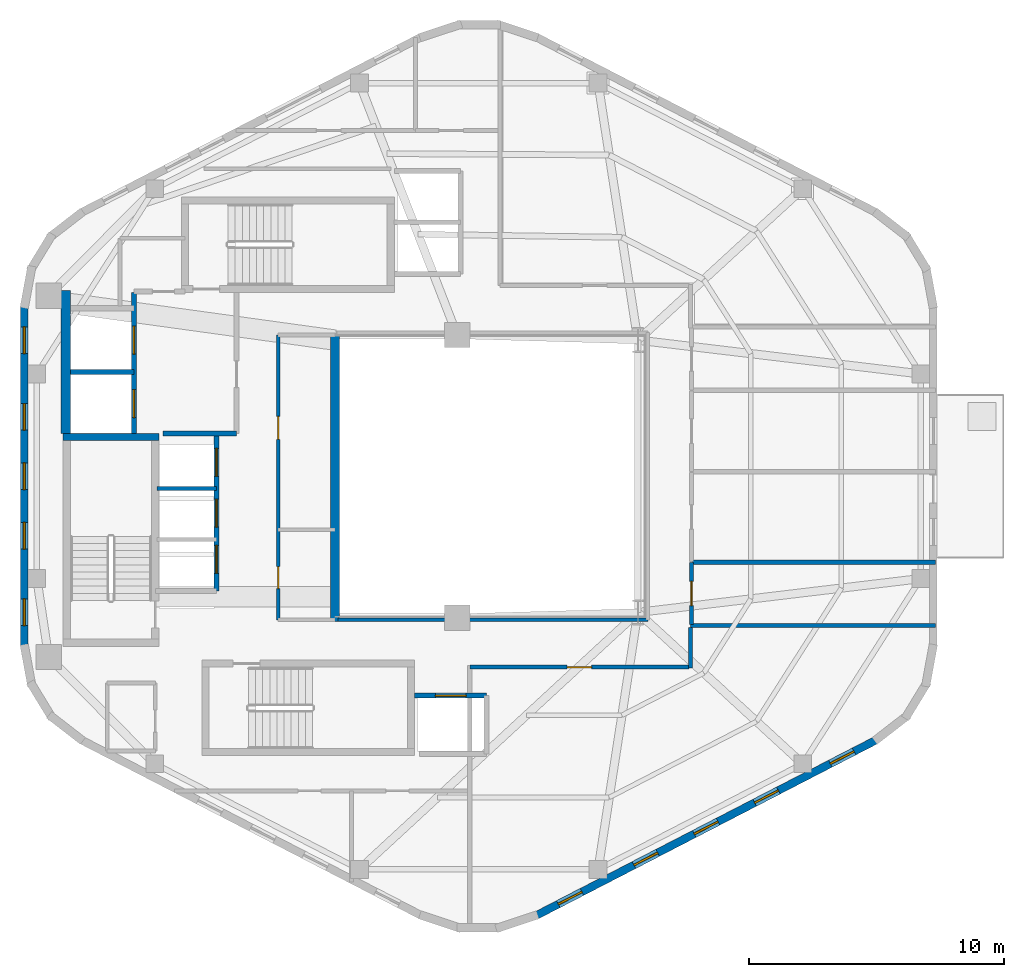
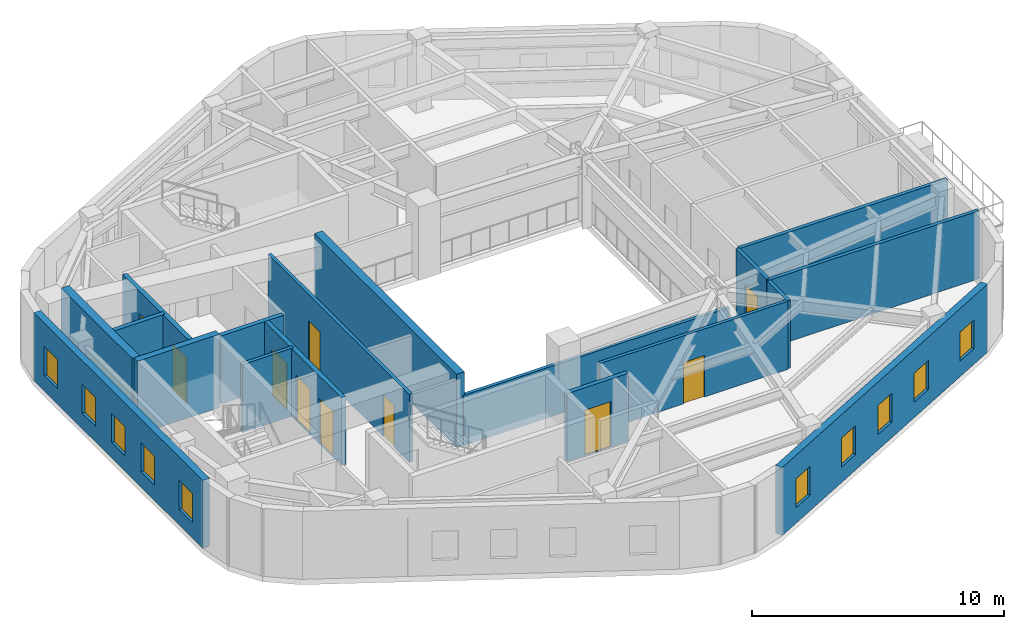
# One storey, part 3 of 7: 18 walls, 10 doors, 10 windows, 20 openings.
"""IFC4 building model written with IfcOpenShell, lengths in metres."""

import ifcopenshell
import ifcopenshell.guid

model = None  # the IFC model being written
_history = None  # IfcOwnerHistory: only IFC2X3 demands one
_inside = {}  # id of a spatial element -> (the spatial element, [elements in it])
_under = {}  # id of a project, library or spatial element -> (it, [spatial elements below it])
_declared = {}  # id of a project -> (the project, [libraries it declares])
_typed = {}  # id of a type object -> (the type object, [elements of that type])
_made_of = {}  # id of a material, layer set ... -> (it, [elements and type objects made of it])


def new_model(schema):
    """Start an empty IFC model of exactly this schema.

    Asked for "IFC4X3", IfcOpenShell would pick the latest addendum, in which some entities
    have other attributes; the version numbers below select the first issue.
    IFC2X3 requires an IfcOwnerHistory on every rooted entity: one is made here for all.
    """
    global model, _history
    if schema == "IFC4X3":
        model = ifcopenshell.file(schema_version=(4, 3, 0, 0))
    else:
        model = ifcopenshell.file(schema=schema)
    _inside.clear()
    _under.clear()
    _declared.clear()
    _typed.clear()
    _made_of.clear()
    _history = None
    if model.schema == "IFC2X3":
        org = make("IfcOrganization", Name="unknown")
        user = make(
            "IfcPersonAndOrganization",
            ThePerson=make("IfcPerson", FamilyName="unknown"),
            TheOrganization=org,
        )
        app = make(
            "IfcApplication",
            ApplicationDeveloper=org,
            Version="unknown",
            ApplicationFullName="unknown",
            ApplicationIdentifier="unknown",
        )
        _history = make(
            "IfcOwnerHistory",
            OwningUser=user,
            OwningApplication=app,
            ChangeAction="ADDED",
            CreationDate=0,
        )
    return model


def make(cls, **values):
    """One entity of the class cls with the attributes given. An attribute that is None is left unset."""
    return model.create_entity(
        cls, **{name: value for name, value in values.items() if value is not None}
    )


def rooted(cls, **values):
    """An entity with a GlobalId (a new one), such as an element, a storey or a relation."""
    return make(cls, GlobalId=ifcopenshell.guid.new(), OwnerHistory=_history, **values)


def si_unit(unit_type, name, prefix=None):
    """IfcSIUnit, for example si_unit("LENGTHUNIT", "METRE", prefix="MILLI")."""
    return make("IfcSIUnit", UnitType=unit_type, Prefix=prefix, Name=name)


def assignment(units):
    """IfcUnitAssignment: the units of a project."""
    return None if units is None else make("IfcUnitAssignment", Units=units)


def point(xyz):
    """IfcCartesianPoint."""
    return None if xyz is None else make("IfcCartesianPoint", Coordinates=xyz)


def direction(xyz):
    """IfcDirection."""
    return None if xyz is None else make("IfcDirection", DirectionRatios=xyz)


def frame(location, z_axis=None, x_axis=None):
    """IfcAxis2Placement3D, a coordinate frame: its origin and axes. An axis left out is left unset."""
    return make(
        "IfcAxis2Placement3D",
        Location=point(location),
        Axis=direction(z_axis),
        RefDirection=direction(x_axis),
    )


def frame_2d(location, x_axis=None):
    """IfcAxis2Placement2D, a coordinate frame in the plane: its origin and x axis."""
    return make(
        "IfcAxis2Placement2D", Location=point(location), RefDirection=direction(x_axis)
    )


def origin():
    """The frame at (0, 0, 0) with its axes left unset."""
    return frame((0.0, 0.0, 0.0))


def place(relative_to, where):
    """IfcLocalPlacement: puts the frame where relative to a parent placement (None: the world)."""
    return make(
        "IfcLocalPlacement", PlacementRelTo=relative_to, RelativePlacement=where
    )


def context(
    kind, dimensions, precision=None, world=None, true_north=None, identifier=None
):
    """IfcGeometricRepresentationContext, for example the 3D "Model" context."""
    return make(
        "IfcGeometricRepresentationContext",
        ContextIdentifier=identifier,
        ContextType=kind,
        CoordinateSpaceDimension=dimensions,
        Precision=precision,
        WorldCoordinateSystem=world,
        TrueNorth=true_north,
    )


def subcontext(parent, identifier, kind, view, scale=None):
    """IfcGeometricRepresentationSubContext, for example "Body" below "Model"."""
    return make(
        "IfcGeometricRepresentationSubContext",
        ContextIdentifier=identifier,
        ContextType=kind,
        ParentContext=parent,
        TargetScale=scale,
        TargetView=view,
    )


def project(units=None, contexts=None):
    """IfcProject with its units and contexts."""
    return rooted(
        "IfcProject",
        Name="project",
        RepresentationContexts=contexts,
        UnitsInContext=assignment(units),
    )


def spatial(cls, under=None, at=None, **own):
    """A site, building, storey or space (cls), placed at a placement, below another one or the project."""
    s = rooted(cls, ObjectPlacement=at, **own)
    if under is not None:
        _under.setdefault(under.id(), (under, []))[1].append(s)
    return s


def profile(cls, at=None, kind="AREA", **sizes):
    """A parametric profile (cls). Its sizes go by their IFC names, for example OverallWidth=200.0."""
    return make(cls, ProfileType=kind, Position=at, **sizes)


def rectangle(**sizes):
    """IfcRectangleProfileDef."""
    return profile("IfcRectangleProfileDef", **sizes)


def extrude(swept, where, along, depth):
    """IfcExtrudedAreaSolid: the profile swept, set in the frame where, extruded along a direction by depth."""
    return make(
        "IfcExtrudedAreaSolid",
        SweptArea=swept,
        Position=where,
        ExtrudedDirection=direction(along),
        Depth=depth,
    )


def shape(context_of_items, identifier, shape_type, items):
    """IfcShapeRepresentation: the items that make up one representation, for example the "Body"."""
    return make(
        "IfcShapeRepresentation",
        ContextOfItems=context_of_items,
        RepresentationIdentifier=identifier,
        RepresentationType=shape_type,
        Items=items,
    )


def material(Name=None, Category=None):
    """IfcMaterial."""
    return make("IfcMaterial", Name=Name, Category=Category)


def layer(
    of_material, thickness, ventilated=None, Name=None, Category=None, Priority=None
):
    """IfcMaterialLayer: one layer of a wall or slab, of a material (None: an air gap)."""
    return make(
        "IfcMaterialLayer",
        Material=of_material,
        LayerThickness=thickness,
        IsVentilated=ventilated,
        Name=Name,
        Category=Category,
        Priority=Priority,
    )


def layer_set(layers, Name=None):
    """IfcMaterialLayerSet."""
    return make("IfcMaterialLayerSet", MaterialLayers=layers, LayerSetName=Name)


def made_of(thing, what):
    """Note that an element or type object is made of a material, layer set ...; save() writes the relation."""
    if what is not None:
        _made_of.setdefault(what.id(), (what, []))[1].append(thing)
    return thing


def type_object(cls, material=None, **own):
    """A type object (cls), such as IfcWallType, which elements share."""
    return made_of(rooted(cls, **own), material)


def element(
    cls,
    number,
    at=None,
    inside=None,
    cuts=None,
    type_object=None,
    material=None,
    context=None,
    identifier="Body",
    shape_type=None,
    held_by="IfcProductDefinitionShape",
    body=None,
    shapes=None,
    **own,
):
    """One element of the class cls, such as IfcWall. Its Tag is "e" and its number.

    at: its placement. inside: the storey or other place that contains it. cuts: it is an
    opening in that element (IfcRelVoidsElement). A single representation is given by context,
    identifier, shape_type and body (its items); several are given by shapes. held_by: the class
    of the entity that holds the representations. save() writes the other relations.
    """
    e = rooted(cls, Tag="e%d" % number, ObjectPlacement=at, **own)
    if body is not None:
        shapes = [shape(context, identifier, shape_type, body)]
    if shapes is not None:
        e.Representation = make(held_by, Representations=shapes)
    if inside is not None:
        _inside.setdefault(inside.id(), (inside, []))[1].append(e)
    if cuts is not None:
        rooted(
            "IfcRelVoidsElement", RelatingBuildingElement=cuts, RelatedOpeningElement=e
        )
    if type_object is not None:
        _typed.setdefault(type_object.id(), (type_object, []))[1].append(e)
    return made_of(e, material)


def fill(opening, filler):
    """IfcRelFillsElement: the door or window that sits in an opening."""
    return rooted(
        "IfcRelFillsElement",
        RelatingOpeningElement=opening,
        RelatedBuildingElement=filler,
    )


def aggregate(whole, parts):
    """IfcRelAggregates: a whole, such as a stair, and the parts it consists of."""
    return rooted("IfcRelAggregates", RelatingObject=whole, RelatedObjects=parts)


def save(model, path):
    """Write the relations noted so far, then the file.

    IfcRelAggregates (storeys below a building ...), IfcRelContainedInSpatialStructure (elements
    in a storey), IfcRelDefinesByType, IfcRelAssociatesMaterial and IfcRelDeclares: one each for
    every whole, place, type object, material and project.
    """
    for whole, parts in _under.values():
        aggregate(whole, parts)
    for where, things in _inside.values():
        rooted(
            "IfcRelContainedInSpatialStructure",
            RelatedElements=things,
            RelatingStructure=where,
        )
    for kind, things in _typed.values():
        rooted("IfcRelDefinesByType", RelatedObjects=things, RelatingType=kind)
    for what, things in _made_of.values():
        rooted("IfcRelAssociatesMaterial", RelatedObjects=things, RelatingMaterial=what)
    for by, libraries in _declared.values():
        rooted("IfcRelDeclares", RelatingContext=by, RelatedDefinitions=libraries)
    model.write(path)


model = new_model("IFC4")

# Units and contexts
model_context = context("Model", 3, precision=1e-05, world=origin(), true_north=direction((0.0, 1.0)))
body_context = subcontext(model_context, "Body", "Model", "MODEL_VIEW")
ifc_project = project(units=[si_unit("LENGTHUNIT", "METRE"), si_unit("AREAUNIT", "SQUARE_METRE"), si_unit("VOLUMEUNIT", "CUBIC_METRE"), si_unit("PLANEANGLEUNIT", "RADIAN"), si_unit("MASSUNIT", "GRAM", prefix="KILO"), si_unit("THERMODYNAMICTEMPERATUREUNIT", "KELVIN"), si_unit("POWERUNIT", "WATT")], contexts=[model_context])

# Site, building, storey
site_placement = place(None, origin())
site = spatial("IfcSite", under=ifc_project, at=site_placement, CompositionType="ELEMENT")
building_placement = place(site_placement, origin())
building = spatial("IfcBuilding", under=site, at=building_placement, Name="Skarre Station Tower", CompositionType="ELEMENT")
storey_placement = place(building_placement, frame((0.0, 0.0, 256.10009765625)))
storey = spatial("IfcBuildingStorey", under=building, at=storey_placement, Name="L70", CompositionType="ELEMENT", Elevation=256.10009765625)

# Wall, openings, doors
ifc_material_1 = material(Name="Acoustic Steel-Stud Gypsum Partition", Category="steel")
ifc_layer_1 = layer(ifc_material_1, 0.14990234375, Name="Acoustic Steel-Stud Gypsum Partition")
ifc_layer_set_1 = layer_set([ifc_layer_1], Name="Acoustic Steel-Stud Gypsum Partition")
wall_type_1 = type_object("IfcWallType", Name="Fire-Rated Corridor Acoustic Partition 150", PredefinedType="PARTITIONING", material=ifc_layer_set_1)
wall_1_placement = place(storey_placement, frame((25.320068359375, 29.550048828125, 0.0), z_axis=(0.0, 0.0, 1.0), x_axis=(0.0, -1.0, 0.0)))
wall_1 = element("IfcWall", 1, at=wall_1_placement, inside=storey, type_object=wall_type_1, Name="L70 Interior Partition WL-PT-L70-RC2-W", PredefinedType="PARTITIONING", context=body_context, shape_type="SweptSolid", body=[
    extrude(rectangle(XDim=11.18994140625, YDim=0.14990234375, at=frame_2d((5.594970703125, 0.0))), origin(), (0.0, 0.0, 1.0), 3.289794921875),
])
opening_1_placement = place(wall_1_placement, frame((3.199951171875, 0.0, 0.0)))
opening_1 = element("IfcOpeningElement", 2, at=opening_1_placement, cuts=wall_1, Name="Opening DR-SVC90", PredefinedType="OPENING", context=body_context, shape_type="SweptSolid", body=[
    extrude(rectangle(XDim=0.89990234375, YDim=2.0, at=frame_2d((0.449951171875, 1.0))), frame((0.0, 0.0849609375, 0.0), z_axis=(0.0, -1.0, 0.0), x_axis=(1.0, 0.0, 0.0)), (0.0, 0.0, 1.0), 0.169921875),
])
opening_2_placement = place(wall_1_placement, frame((9.10009765625, 0.0, 0.0)))
opening_2 = element("IfcOpeningElement", 3, at=opening_2_placement, cuts=wall_1, Name="Opening DR-SVC86", PredefinedType="OPENING", context=body_context, shape_type="SweptSolid", body=[
    extrude(rectangle(XDim=0.860107421875, YDim=2.0, at=frame_2d((0.43017578125, 1.0))), frame((0.0, 0.0849609375, 0.0), z_axis=(0.0, -1.0, 0.0), x_axis=(1.0, 0.0, 0.0)), (0.0, 0.0, 1.0), 0.169921875),
])
ifc_material_2 = material(Name="Powder-Coated Hollow-Metal Acoustic Fire Leaf", Category="steel")
door_type_1 = type_object("IfcDoorType", Name="Compact Riser Fire Door FD60 860x2100", OperationType="SINGLE_SWING_LEFT", PredefinedType="DOOR", material=ifc_material_2)
door_1_placement = place(opening_2_placement, origin())
door_1 = element("IfcDoor", 4, at=door_1_placement, inside=storey, type_object=door_type_1, Name="L70 Espresso Room Door", OperationType="SINGLE_SWING_LEFT", OverallHeight=2.0, OverallWidth=0.860107421875, PredefinedType="DOOR", context=body_context, shape_type="SweptSolid", body=[
    extrude(rectangle(XDim=0.860107421875, YDim=2.0, at=frame_2d((0.43017578125, 1.0))), frame((0.0, 0.02490234375, 0.0), z_axis=(0.0, -1.0, 0.0), x_axis=(1.0, 0.0, 0.0)), (0.0, 0.0, 1.0), 0.050048828125),
])
fill(opening_2, door_1)
door_type_2 = type_object("IfcDoorType", Name="Service & Riser Fire Door FD60 900x2100", OperationType="SINGLE_SWING_LEFT", PredefinedType="DOOR", material=ifc_material_2)
door_2_placement = place(opening_1_placement, origin())
door_2 = element("IfcDoor", 5, at=door_2_placement, inside=storey, type_object=door_type_2, Name="L70 Reading Alcove Door", OperationType="SINGLE_SWING_LEFT", OverallHeight=2.0, OverallWidth=0.89990234375, PredefinedType="DOOR", context=body_context, shape_type="SweptSolid", body=[
    extrude(rectangle(XDim=0.89990234375, YDim=2.0, at=frame_2d((0.449951171875, 1.0))), frame((0.0, 0.02490234375, 0.0), z_axis=(0.0, -1.0, 0.0), x_axis=(1.0, 0.0, 0.0)), (0.0, 0.0, 1.0), 0.050048828125),
])
fill(opening_1, door_2)

# Wall
wall_2_placement = place(storey_placement, frame((27.675048828125, 18.360107421875, 0.0), z_axis=(0.0, 0.0, 1.0), x_axis=(1.0, 0.0, 0.0)))
element("IfcWall", 6, at=wall_2_placement, inside=storey, type_object=wall_type_1, Name="L70 Interior Partition WL-PT-L70-ATRW-S", PredefinedType="PARTITIONING", context=body_context, shape_type="SweptSolid", body=[
    extrude(rectangle(XDim=12.1650390625, YDim=0.14990234375, at=frame_2d((6.08251953125, 0.0))), origin(), (0.0, 0.0, 1.0), 2.430908203125),
])

# Wall, opening, door
wall_3_placement = place(storey_placement, frame((41.56005859375, 18.179931640625, 0.0), z_axis=(0.0, 0.0, 1.0), x_axis=(0.0, 1.0, 0.0)))
wall_3 = element("IfcWall", 7, at=wall_3_placement, inside=storey, type_object=wall_type_1, Name="L70 Interior Partition WL-PT-L70-EW1-CW", PredefinedType="PARTITIONING", context=body_context, shape_type="SweptSolid", body=[
    extrude(rectangle(XDim=2.426025390625, YDim=0.14990234375, at=frame_2d((1.212890625, 0.0))), origin(), (0.0, 0.0, 1.0), 3.289794921875),
])
opening_3_placement = place(wall_3_placement, frame((0.73291015625, 0.0, 0.0)))
opening_3 = element("IfcOpeningElement", 8, at=opening_3_placement, cuts=wall_3, Name="Opening DR-FD60", PredefinedType="OPENING", context=body_context, shape_type="SweptSolid", body=[
    extrude(rectangle(XDim=0.9599609375, YDim=2.0, at=frame_2d((0.47998046875, 1.0))), frame((0.0, 0.0849609375, 0.0), z_axis=(0.0, -1.0, 0.0), x_axis=(1.0, 0.0, 0.0)), (0.0, 0.0, 1.0), 0.169921875),
])
ifc_material_3 = material(Name="Nordic White-Oak Veneer Solid-Core Fire Leaf", Category="wood")
door_type_3 = type_object("IfcDoorType", Name="Corridor Suite Entry Fire Door FD60 960x2150", OperationType="SINGLE_SWING_LEFT", PredefinedType="DOOR", material=ifc_material_3)
door_3_placement = place(opening_3_placement, origin())
door_3 = element("IfcDoor", 9, at=door_3_placement, inside=storey, type_object=door_type_3, Name="L70 EW1 Entry Door", OperationType="SINGLE_SWING_LEFT", OverallHeight=2.0, OverallWidth=0.9599609375, PredefinedType="DOOR", context=body_context, shape_type="SweptSolid", body=[
    extrude(rectangle(XDim=0.9599609375, YDim=2.0, at=frame_2d((0.47998046875, 1.0))), frame((0.0, 0.02490234375, 0.0), z_axis=(0.0, -1.0, 0.0), x_axis=(1.0, 0.0, 0.0)), (0.0, 0.0, 1.0), 0.050048828125),
])
fill(opening_3, door_3)

# Wall
wall_4_placement = place(storey_placement, frame((41.52001953125, 16.4599609375, 0.0), z_axis=(0.0, 0.0, 1.0), x_axis=(0.0, 1.0, 0.0)))
element("IfcWall", 10, at=wall_4_placement, inside=storey, type_object=wall_type_1, Name="L70 Interior Partition WL-PT-L70-CORR-SER", PredefinedType="PARTITIONING", context=body_context, shape_type="SweptSolid", body=[
    extrude(rectangle(XDim=1.60205078125, YDim=0.14990234375, at=frame_2d((0.801025390625, 0.0))), origin(), (0.0, 0.0, 1.0), 3.289794921875),
])

# Wall, opening, door
wall_5_placement = place(storey_placement, frame((32.85009765625, 16.5, 0.0), z_axis=(0.0, 0.0, 1.0), x_axis=(1.0, 0.0, 0.0)))
wall_5 = element("IfcWall", 11, at=wall_5_placement, inside=storey, type_object=wall_type_1, Name="L70 Interior Partition WL-PT-L70-SW1-CW", PredefinedType="PARTITIONING", context=body_context, shape_type="SweptSolid", body=[
    extrude(rectangle(XDim=8.60986328125, YDim=0.14990234375, at=frame_2d((4.304931640625, 0.0))), origin(), (0.0, 0.0, 1.0), 3.289794921875),
])
opening_4_placement = place(wall_5_placement, frame((3.824951171875, 0.0, 0.0)))
opening_4 = element("IfcOpeningElement", 12, at=opening_4_placement, cuts=wall_5, Name="Opening DR-FD60", PredefinedType="OPENING", context=body_context, shape_type="SweptSolid", body=[
    extrude(rectangle(XDim=0.9599609375, YDim=2.0, at=frame_2d((0.47998046875, 1.0))), frame((0.0, 0.0849609375, 0.0), z_axis=(0.0, -1.0, 0.0), x_axis=(1.0, 0.0, 0.0)), (0.0, 0.0, 1.0), 0.169921875),
])
door_4_placement = place(opening_4_placement, origin())
door_4 = element("IfcDoor", 13, at=door_4_placement, inside=storey, type_object=door_type_3, Name="L70 SW1 Entry Door", OperationType="SINGLE_SWING_LEFT", OverallHeight=2.0, OverallWidth=0.9599609375, PredefinedType="DOOR", context=body_context, shape_type="SweptSolid", body=[
    extrude(rectangle(XDim=0.9599609375, YDim=2.0, at=frame_2d((0.47998046875, 1.0))), frame((0.0, 0.02490234375, 0.0), z_axis=(0.0, -1.0, 0.0), x_axis=(1.0, 0.0, 0.0)), (0.0, 0.0, 1.0), 0.050048828125),
])
fill(opening_4, door_4)

# Wall, openings, windows
ifc_material_4 = material(Name="Precast concrete C45/55", Category="concrete")
ifc_layer_2 = layer(ifc_material_4, 0.31005859375, Name="Precast concrete C45/55")
ifc_layer_set_2 = layer_set([ifc_layer_2], Name="Precast concrete C45/55")
wall_type_2 = type_object("IfcWallType", Name="Nordic Upper-Zone Precast Facet Wall 310", PredefinedType="STANDARD", material=ifc_layer_set_2)
wall_6_placement = place(storey_placement, frame((15.342041015625, 17.298095703125, 0.0), z_axis=(0.0, 0.0, 1.0), x_axis=(0.0, 1.0, 0.0)))
wall_6 = element("IfcWall", 14, at=wall_6_placement, inside=storey, type_object=wall_type_2, Name="L70 Facet 2 Nordic Precast Masonry Wall", PredefinedType="STANDARD", context=body_context, shape_type="SweptSolid", body=[
    extrude(rectangle(XDim=13.40380859375, YDim=0.31005859375, at=frame_2d((6.701904296875, 0.0))), origin(), (0.0, 0.0, 1.0), 3.289794921875),
])
opening_5_placement = place(wall_6_placement, frame((0.8310546875, 0.0, 0.75)))
opening_5 = element("IfcOpeningElement", 15, at=opening_5_placement, cuts=wall_6, Name="Opening WN-SLT", PredefinedType="OPENING", context=body_context, shape_type="SweptSolid", body=[
    extrude(rectangle(XDim=1.050048828125, YDim=1.39990234375, at=frame_2d((0.52490234375, 0.699951171875))), frame((0.0, 0.1650390625, 0.0), z_axis=(0.0, -1.0, 0.0), x_axis=(1.0, 0.0, 0.0)), (0.0, 0.0, 1.0), 0.330078125),
])
opening_6_placement = place(wall_6_placement, frame((3.843017578125, 0.0, 0.75)))
opening_6 = element("IfcOpeningElement", 16, at=opening_6_placement, cuts=wall_6, Name="Opening WN-SLT", PredefinedType="OPENING", context=body_context, shape_type="SweptSolid", body=[
    extrude(rectangle(XDim=1.050048828125, YDim=1.39990234375, at=frame_2d((0.52490234375, 0.699951171875))), frame((0.0, 0.1650390625, 0.0), z_axis=(0.0, -1.0, 0.0), x_axis=(1.0, 0.0, 0.0)), (0.0, 0.0, 1.0), 0.330078125),
])
opening_7_placement = place(wall_6_placement, frame((6.177001953125, 0.0, 0.75)))
opening_7 = element("IfcOpeningElement", 17, at=opening_7_placement, cuts=wall_6, Name="Opening WN-SLT", PredefinedType="OPENING", context=body_context, shape_type="SweptSolid", body=[
    extrude(rectangle(XDim=1.050048828125, YDim=1.39990234375, at=frame_2d((0.52490234375, 0.699951171875))), frame((0.0, 0.1650390625, 0.0), z_axis=(0.0, -1.0, 0.0), x_axis=(1.0, 0.0, 0.0)), (0.0, 0.0, 1.0), 0.330078125),
])
opening_8_placement = place(wall_6_placement, frame((8.510986328125, 0.0, 0.75)))
opening_8 = element("IfcOpeningElement", 18, at=opening_8_placement, cuts=wall_6, Name="Opening WN-SLT", PredefinedType="OPENING", context=body_context, shape_type="SweptSolid", body=[
    extrude(rectangle(XDim=1.050048828125, YDim=1.39990234375, at=frame_2d((0.52490234375, 0.699951171875))), frame((0.0, 0.1650390625, 0.0), z_axis=(0.0, -1.0, 0.0), x_axis=(1.0, 0.0, 0.0)), (0.0, 0.0, 1.0), 0.330078125),
])
opening_9_placement = place(wall_6_placement, frame((11.52392578125, 0.0, 0.75)))
opening_9 = element("IfcOpeningElement", 19, at=opening_9_placement, cuts=wall_6, Name="Opening WN-SLT", PredefinedType="OPENING", context=body_context, shape_type="SweptSolid", body=[
    extrude(rectangle(XDim=1.050048828125, YDim=1.39990234375, at=frame_2d((0.52490234375, 0.699951171875))), frame((0.0, 0.1650390625, 0.0), z_axis=(0.0, -1.0, 0.0), x_axis=(1.0, 0.0, 0.0)), (0.0, 0.0, 1.0), 0.330078125),
])
ifc_material_5 = material(Name="Low-Iron Triple Glazing with Bronze Anodized Frame", Category="glass")
window_type = type_object("IfcWindowType", Name="Nordic Corner Slot Window 1050x1400", PartitioningType="SINGLE_PANEL", PredefinedType="WINDOW", material=ifc_material_5)
window_1_placement = place(opening_5_placement, origin())
window_1 = element("IfcWindow", 20, at=window_1_placement, inside=storey, type_object=window_type, Name="L70 Facade Window WL-FAC-L70-F2-1", OverallHeight=1.39990234375, OverallWidth=1.050048828125, PartitioningType="SINGLE_PANEL", PredefinedType="WINDOW", context=body_context, shape_type="SweptSolid", body=[
    extrude(rectangle(XDim=1.050048828125, YDim=1.39990234375, at=frame_2d((0.52490234375, 0.699951171875))), frame((0.0, 0.030029296875, 0.0), z_axis=(0.0, -1.0, 0.0), x_axis=(1.0, 0.0, 0.0)), (0.0, 0.0, 1.0), 0.06005859375),
])
fill(opening_5, window_1)
window_2_placement = place(opening_6_placement, origin())
window_2 = element("IfcWindow", 21, at=window_2_placement, inside=storey, type_object=window_type, Name="L70 Facade Window WL-FAC-L70-F2-2", OverallHeight=1.39990234375, OverallWidth=1.050048828125, PartitioningType="SINGLE_PANEL", PredefinedType="WINDOW", context=body_context, shape_type="SweptSolid", body=[
    extrude(rectangle(XDim=1.050048828125, YDim=1.39990234375, at=frame_2d((0.52490234375, 0.699951171875))), frame((0.0, 0.030029296875, 0.0), z_axis=(0.0, -1.0, 0.0), x_axis=(1.0, 0.0, 0.0)), (0.0, 0.0, 1.0), 0.06005859375),
])
fill(opening_6, window_2)
window_3_placement = place(opening_7_placement, origin())
window_3 = element("IfcWindow", 22, at=window_3_placement, inside=storey, type_object=window_type, Name="L70 Facade Window WL-FAC-L70-F2-3", OverallHeight=1.39990234375, OverallWidth=1.050048828125, PartitioningType="SINGLE_PANEL", PredefinedType="WINDOW", context=body_context, shape_type="SweptSolid", body=[
    extrude(rectangle(XDim=1.050048828125, YDim=1.39990234375, at=frame_2d((0.52490234375, 0.699951171875))), frame((0.0, 0.030029296875, 0.0), z_axis=(0.0, -1.0, 0.0), x_axis=(1.0, 0.0, 0.0)), (0.0, 0.0, 1.0), 0.06005859375),
])
fill(opening_7, window_3)
window_4_placement = place(opening_8_placement, origin())
window_4 = element("IfcWindow", 23, at=window_4_placement, inside=storey, type_object=window_type, Name="L70 Facade Window WL-FAC-L70-F2-4", OverallHeight=1.39990234375, OverallWidth=1.050048828125, PartitioningType="SINGLE_PANEL", PredefinedType="WINDOW", context=body_context, shape_type="SweptSolid", body=[
    extrude(rectangle(XDim=1.050048828125, YDim=1.39990234375, at=frame_2d((0.52490234375, 0.699951171875))), frame((0.0, 0.030029296875, 0.0), z_axis=(0.0, -1.0, 0.0), x_axis=(1.0, 0.0, 0.0)), (0.0, 0.0, 1.0), 0.06005859375),
])
fill(opening_8, window_4)
window_5_placement = place(opening_9_placement, origin())
window_5 = element("IfcWindow", 24, at=window_5_placement, inside=storey, type_object=window_type, Name="L70 Facade Window WL-FAC-L70-F2-5", OverallHeight=1.39990234375, OverallWidth=1.050048828125, PartitioningType="SINGLE_PANEL", PredefinedType="WINDOW", context=body_context, shape_type="SweptSolid", body=[
    extrude(rectangle(XDim=1.050048828125, YDim=1.39990234375, at=frame_2d((0.52490234375, 0.699951171875))), frame((0.0, 0.030029296875, 0.0), z_axis=(0.0, -1.0, 0.0), x_axis=(1.0, 0.0, 0.0)), (0.0, 0.0, 1.0), 0.06005859375),
])
fill(opening_9, window_5)

wall_7_placement = place(storey_placement, frame((48.833984375, 13.64599609375, 0.0), z_axis=(0.0, 0.0, 1.0), x_axis=(-0.888581481622, -0.458718814218, 0.0)))
wall_7 = element("IfcWall", 25, at=wall_7_placement, inside=storey, type_object=wall_type_2, Name="L70 Facet 4 Nordic Precast Masonry Wall", PredefinedType="STANDARD", context=body_context, shape_type="SweptSolid", body=[
    extrude(rectangle(XDim=15.076904296875, YDim=0.31005859375, at=frame_2d((7.53857421875, 0.0))), origin(), (0.0, 0.0, 1.0), 3.289794921875),
])
opening_10_placement = place(wall_7_placement, frame((0.998046875, 0.0, 0.75)))
opening_10 = element("IfcOpeningElement", 26, at=opening_10_placement, cuts=wall_7, Name="Opening WN-SLT", PredefinedType="OPENING", context=body_context, shape_type="SweptSolid", body=[
    extrude(rectangle(XDim=1.050048828125, YDim=1.39990234375, at=frame_2d((0.52490234375, 0.699951171875))), frame((0.0, 0.1650390625, 0.0), z_axis=(0.0, -1.0, 0.0), x_axis=(1.0, 0.0, 0.0)), (0.0, 0.0, 1.0), 0.330078125),
])
opening_11_placement = place(wall_7_placement, frame((4.344970703125, 0.0, 0.75)))
opening_11 = element("IfcOpeningElement", 27, at=opening_11_placement, cuts=wall_7, Name="Opening WN-SLT", PredefinedType="OPENING", context=body_context, shape_type="SweptSolid", body=[
    extrude(rectangle(XDim=1.050048828125, YDim=1.39990234375, at=frame_2d((0.52490234375, 0.699951171875))), frame((0.0, 0.1650390625, 0.0), z_axis=(0.0, -1.0, 0.0), x_axis=(1.0, 0.0, 0.0)), (0.0, 0.0, 1.0), 0.330078125),
])
opening_12_placement = place(wall_7_placement, frame((7.013916015625, 0.0, 0.75)))
opening_12 = element("IfcOpeningElement", 28, at=opening_12_placement, cuts=wall_7, Name="Opening WN-SLT", PredefinedType="OPENING", context=body_context, shape_type="SweptSolid", body=[
    extrude(rectangle(XDim=1.050048828125, YDim=1.39990234375, at=frame_2d((0.52490234375, 0.699951171875))), frame((0.0, 0.1650390625, 0.0), z_axis=(0.0, -1.0, 0.0), x_axis=(1.0, 0.0, 0.0)), (0.0, 0.0, 1.0), 0.330078125),
])
opening_13_placement = place(wall_7_placement, frame((9.68310546875, 0.0, 0.75)))
opening_13 = element("IfcOpeningElement", 29, at=opening_13_placement, cuts=wall_7, Name="Opening WN-SLT", PredefinedType="OPENING", context=body_context, shape_type="SweptSolid", body=[
    extrude(rectangle(XDim=1.050048828125, YDim=1.39990234375, at=frame_2d((0.52490234375, 0.699951171875))), frame((0.0, 0.1650390625, 0.0), z_axis=(0.0, -1.0, 0.0), x_axis=(1.0, 0.0, 0.0)), (0.0, 0.0, 1.0), 0.330078125),
])
opening_14_placement = place(wall_7_placement, frame((13.029052734375, 0.0, 0.75)))
opening_14 = element("IfcOpeningElement", 30, at=opening_14_placement, cuts=wall_7, Name="Opening WN-SLT", PredefinedType="OPENING", context=body_context, shape_type="SweptSolid", body=[
    extrude(rectangle(XDim=1.050048828125, YDim=1.39990234375, at=frame_2d((0.52490234375, 0.699951171875))), frame((0.0, 0.1650390625, 0.0), z_axis=(0.0, -1.0, 0.0), x_axis=(1.0, 0.0, 0.0)), (0.0, 0.0, 1.0), 0.330078125),
])
window_6_placement = place(opening_10_placement, origin())
window_6 = element("IfcWindow", 31, at=window_6_placement, inside=storey, type_object=window_type, Name="L70 Facade Window WL-FAC-L70-F4-1", OverallHeight=1.39990234375, OverallWidth=1.050048828125, PartitioningType="SINGLE_PANEL", PredefinedType="WINDOW", context=body_context, shape_type="SweptSolid", body=[
    extrude(rectangle(XDim=1.050048828125, YDim=1.39990234375, at=frame_2d((0.52490234375, 0.699951171875))), frame((0.0, 0.030029296875, 0.0), z_axis=(0.0, -1.0, 0.0), x_axis=(1.0, 0.0, 0.0)), (0.0, 0.0, 1.0), 0.06005859375),
])
fill(opening_10, window_6)
window_7_placement = place(opening_11_placement, origin())
window_7 = element("IfcWindow", 32, at=window_7_placement, inside=storey, type_object=window_type, Name="L70 Facade Window WL-FAC-L70-F4-2", OverallHeight=1.39990234375, OverallWidth=1.050048828125, PartitioningType="SINGLE_PANEL", PredefinedType="WINDOW", context=body_context, shape_type="SweptSolid", body=[
    extrude(rectangle(XDim=1.050048828125, YDim=1.39990234375, at=frame_2d((0.52490234375, 0.699951171875))), frame((0.0, 0.030029296875, 0.0), z_axis=(0.0, -1.0, 0.0), x_axis=(1.0, 0.0, 0.0)), (0.0, 0.0, 1.0), 0.06005859375),
])
fill(opening_11, window_7)
window_8_placement = place(opening_12_placement, origin())
window_8 = element("IfcWindow", 33, at=window_8_placement, inside=storey, type_object=window_type, Name="L70 Facade Window WL-FAC-L70-F4-3", OverallHeight=1.39990234375, OverallWidth=1.050048828125, PartitioningType="SINGLE_PANEL", PredefinedType="WINDOW", context=body_context, shape_type="SweptSolid", body=[
    extrude(rectangle(XDim=1.050048828125, YDim=1.39990234375, at=frame_2d((0.52490234375, 0.699951171875))), frame((0.0, 0.030029296875, 0.0), z_axis=(0.0, -1.0, 0.0), x_axis=(1.0, 0.0, 0.0)), (0.0, 0.0, 1.0), 0.06005859375),
])
fill(opening_12, window_8)
window_9_placement = place(opening_13_placement, origin())
window_9 = element("IfcWindow", 34, at=window_9_placement, inside=storey, type_object=window_type, Name="L70 Facade Window WL-FAC-L70-F4-4", OverallHeight=1.39990234375, OverallWidth=1.050048828125, PartitioningType="SINGLE_PANEL", PredefinedType="WINDOW", context=body_context, shape_type="SweptSolid", body=[
    extrude(rectangle(XDim=1.050048828125, YDim=1.39990234375, at=frame_2d((0.52490234375, 0.699951171875))), frame((0.0, 0.030029296875, 0.0), z_axis=(0.0, -1.0, 0.0), x_axis=(1.0, 0.0, 0.0)), (0.0, 0.0, 1.0), 0.06005859375),
])
fill(opening_13, window_9)
window_10_placement = place(opening_14_placement, origin())
window_10 = element("IfcWindow", 35, at=window_10_placement, inside=storey, type_object=window_type, Name="L70 Facade Window WL-FAC-L70-F4-5", OverallHeight=1.39990234375, OverallWidth=1.050048828125, PartitioningType="SINGLE_PANEL", PredefinedType="WINDOW", context=body_context, shape_type="SweptSolid", body=[
    extrude(rectangle(XDim=1.050048828125, YDim=1.39990234375, at=frame_2d((0.52490234375, 0.699951171875))), frame((0.0, 0.030029296875, 0.0), z_axis=(0.0, -1.0, 0.0), x_axis=(1.0, 0.0, 0.0)), (0.0, 0.0, 1.0), 0.06005859375),
])
fill(opening_14, window_10)

# Walls
ifc_material_6 = material(Name="Concrete C50/60", Category="concrete")
ifc_layer_3 = layer(ifc_material_6, 0.280029296875, Name="Concrete C50/60")
ifc_layer_set_3 = layer_set([ifc_layer_3], Name="Concrete C50/60")
wall_type_3 = type_object("IfcWallType", Name="RC Core Shear Wall 280", PredefinedType="SHEAR", material=ifc_layer_set_3)
wall_8_placement = place(storey_placement, frame((20.6298828125, 25.5400390625, 0.0), z_axis=(0.0, 0.0, 1.0), x_axis=(-1.0, 0.0, 0.0)))
element("IfcWall", 36, at=wall_8_placement, inside=storey, type_object=wall_type_3, Name="L70 Stair ST-1 North Shear Wall", PredefinedType="SHEAR", context=body_context, shape_type="SweptSolid", body=[
    extrude(rectangle(XDim=3.759765625, YDim=0.280029296875, at=frame_2d((1.8798828125, 0.0))), origin(), (0.0, 0.0, 1.0), 3.5498046875),
])
ifc_layer_4 = layer(ifc_material_6, 0.360107421875, Name="Concrete C50/60")
ifc_layer_set_4 = layer_set([ifc_layer_4], Name="Concrete C50/60")
wall_type_4 = type_object("IfcWallType", Name="RC Core Shear Wall 360", PredefinedType="SHEAR", material=ifc_layer_set_4)
wall_9_placement = place(storey_placement, frame((16.969970703125, 25.679931640625, 0.0), z_axis=(0.0, 0.0, 1.0), x_axis=(0.0, 1.0, 0.0)))
element("IfcWall", 37, at=wall_9_placement, inside=storey, type_object=wall_type_4, Name="L70 Core West-North Shear Wall", PredefinedType="SHEAR", context=body_context, shape_type="SweptSolid", body=[
    extrude(rectangle(XDim=5.6201171875, YDim=0.360107421875, at=frame_2d((2.81005859375, 0.0))), origin(), (0.0, 0.0, 1.0), 3.5498046875),
])
wall_10_placement = place(storey_placement, frame((27.550048828125, 29.550048828125, 0.0), z_axis=(0.0, 0.0, 1.0), x_axis=(0.0, -1.0, 0.0)))
element("IfcWall", 38, at=wall_10_placement, inside=storey, type_object=wall_type_4, Name="L70 Core East Atrium Shear Wall", PredefinedType="SHEAR", context=body_context, shape_type="SweptSolid", body=[
    extrude(rectangle(XDim=11.25, YDim=0.360107421875, at=frame_2d((5.625, 0.0))), origin(), (0.0, 0.0, 1.0), 3.5498046875),
])

# Wall, openings, doors
ifc_material_7 = material(Name="Gypsum Concrete Shaft Assembly C30/37", Category="concrete")
ifc_layer_5 = layer(ifc_material_7, 0.199951171875, Name="Gypsum Concrete Shaft Assembly C30/37")
ifc_layer_set_5 = layer_set([ifc_layer_5], Name="Gypsum Concrete Shaft Assembly C30/37")
wall_type_5 = type_object("IfcWallType", Name="Shaft & Core Fire Partition 200", PredefinedType="PARTITIONING", material=ifc_layer_set_5)
wall_11_placement = place(storey_placement, frame((19.64990234375, 25.679931640625, 0.0), z_axis=(0.0, 0.0, 1.0), x_axis=(0.0, 1.0, 0.0)))
wall_11 = element("IfcWall", 39, at=wall_11_placement, inside=storey, type_object=wall_type_5, Name="L70 Interior Partition WL-PT-L70-FSAE-W", PredefinedType="PARTITIONING", context=body_context, shape_type="SweptSolid", body=[
    extrude(rectangle(XDim=5.5400390625, YDim=0.199951171875, at=frame_2d((2.77001953125, 0.0))), origin(), (0.0, 0.0, 1.0), 3.289794921875),
])
opening_15_placement = place(wall_11_placement, frame((0.6201171875, 0.0, 0.0)))
opening_15 = element("IfcOpeningElement", 40, at=opening_15_placement, cuts=wall_11, Name="Opening LD-FF1", PredefinedType="OPENING", context=body_context, shape_type="SweptSolid", body=[
    extrude(rectangle(XDim=1.10009765625, YDim=2.199951171875, at=frame_2d((0.550048828125, 1.10009765625))), frame((0.0, 0.10986328125, 0.0), z_axis=(0.0, -1.0, 0.0), x_axis=(1.0, 0.0, 0.0)), (0.0, 0.0, 1.0), 0.219970703125),
])
opening_16_placement = place(wall_11_placement, frame((3.1201171875, 0.0, 0.0)))
opening_16 = element("IfcOpeningElement", 41, at=opening_16_placement, cuts=wall_11, Name="Opening LD-FF2", PredefinedType="OPENING", context=body_context, shape_type="SweptSolid", body=[
    extrude(rectangle(XDim=1.10009765625, YDim=2.199951171875, at=frame_2d((0.550048828125, 1.10009765625))), frame((0.0, 0.10986328125, 0.0), z_axis=(0.0, -1.0, 0.0), x_axis=(1.0, 0.0, 0.0)), (0.0, 0.0, 1.0), 0.219970703125),
])
ifc_material_8 = material(Name="Fire-Rated Stainless Steel Grade 316L Sliding Leaves", Category="steel")
door_type_4 = type_object("IfcDoorType", Name="Fire Service Access Elevator Sliding Landing Door 1100x2200", OperationType="SLIDING_TO_LEFT", PredefinedType="DOOR", material=ifc_material_8)
door_5_placement = place(opening_15_placement, origin())
door_5 = element("IfcDoor", 42, at=door_5_placement, inside=storey, type_object=door_type_4, Name="L70 Firefighting Lift LF-FF1 Landing Door", OperationType="SLIDING_TO_LEFT", OverallHeight=2.199951171875, OverallWidth=1.10009765625, PredefinedType="DOOR", context=body_context, shape_type="SweptSolid", body=[
    extrude(rectangle(XDim=1.10009765625, YDim=2.199951171875, at=frame_2d((0.550048828125, 1.10009765625))), frame((0.0, 0.02490234375, 0.0), z_axis=(0.0, -1.0, 0.0), x_axis=(1.0, 0.0, 0.0)), (0.0, 0.0, 1.0), 0.050048828125),
])
fill(opening_15, door_5)
door_6_placement = place(opening_16_placement, origin())
door_6 = element("IfcDoor", 43, at=door_6_placement, inside=storey, type_object=door_type_4, Name="L70 Firefighting Lift LF-FF2 Landing Door", OperationType="SLIDING_TO_LEFT", OverallHeight=2.199951171875, OverallWidth=1.10009765625, PredefinedType="DOOR", context=body_context, shape_type="SweptSolid", body=[
    extrude(rectangle(XDim=1.10009765625, YDim=2.199951171875, at=frame_2d((0.550048828125, 1.10009765625))), frame((0.0, 0.02490234375, 0.0), z_axis=(0.0, -1.0, 0.0), x_axis=(1.0, 0.0, 0.0)), (0.0, 0.0, 1.0), 0.050048828125),
])
fill(opening_16, door_6)

# Walls
wall_12_placement = place(storey_placement, frame((20.79296875, 25.679931640625, 0.0), z_axis=(0.0, 0.0, 1.0), x_axis=(1.0, 0.0, 0.0)))
element("IfcWall", 44, at=wall_12_placement, inside=storey, type_object=wall_type_5, Name="L70 Interior Partition WL-PT-L70-FSAE-S", PredefinedType="PARTITIONING", context=body_context, shape_type="SweptSolid", body=[
    extrude(rectangle(XDim=2.886962890625, YDim=0.199951171875, at=frame_2d((1.443359375, 0.0))), origin(), (0.0, 0.0, 1.0), 3.289794921875),
])
wall_13_placement = place(storey_placement, frame((17.14990234375, 28.10009765625, 0.0), z_axis=(0.0, 0.0, 1.0), x_axis=(1.0, 0.0, 0.0)))
element("IfcWall", 45, at=wall_13_placement, inside=storey, type_object=wall_type_5, Name="L70 Interior Partition WL-PT-L70-FF-DIV", PredefinedType="PARTITIONING", context=body_context, shape_type="SweptSolid", body=[
    extrude(rectangle(XDim=2.5, YDim=0.199951171875, at=frame_2d((1.25, 0.0))), origin(), (0.0, 0.0, 1.0), 3.289794921875),
])

# Wall, opening, door
wall_14_placement = place(storey_placement, frame((33.5, 15.3798828125, 0.0), z_axis=(0.0, 0.0, 1.0), x_axis=(-1.0, 0.0, 0.0)))
wall_14 = element("IfcWall", 46, at=wall_14_placement, inside=storey, type_object=wall_type_5, Name="L70 Interior Partition WL-PT-L70-SV1-N", PredefinedType="PARTITIONING", context=body_context, shape_type="SweptSolid", body=[
    extrude(rectangle(XDim=2.820068359375, YDim=0.199951171875, at=frame_2d((1.41015625, 0.0))), origin(), (0.0, 0.0, 1.0), 3.289794921875),
])
opening_17_placement = place(wall_14_placement, frame((0.800048828125, 0.0, 0.0)))
opening_17 = element("IfcOpeningElement", 47, at=opening_17_placement, cuts=wall_14, Name="Opening LD-SV1", PredefinedType="OPENING", context=body_context, shape_type="SweptSolid", body=[
    extrude(rectangle(XDim=1.199951171875, YDim=2.199951171875, at=frame_2d((0.60009765625, 1.10009765625))), frame((0.0, 0.10986328125, 0.0), z_axis=(0.0, -1.0, 0.0), x_axis=(1.0, 0.0, 0.0)), (0.0, 0.0, 1.0), 0.219970703125),
])
ifc_material_9 = material(Name="Heavy-Gauge Brushed Stainless Steel Sliding Leaves", Category="steel")
door_type_5 = type_object("IfcDoorType", Name="Service Elevator Wide Sliding Landing Door 1200x2200", OperationType="SLIDING_TO_RIGHT", PredefinedType="DOOR", material=ifc_material_9)
door_7_placement = place(opening_17_placement, origin())
door_7 = element("IfcDoor", 48, at=door_7_placement, inside=storey, type_object=door_type_5, Name="L70 Service Lift LF-SV1 Landing Door", OperationType="SLIDING_TO_RIGHT", OverallHeight=2.199951171875, OverallWidth=1.199951171875, PredefinedType="DOOR", context=body_context, shape_type="SweptSolid", body=[
    extrude(rectangle(XDim=1.199951171875, YDim=2.199951171875, at=frame_2d((0.60009765625, 1.10009765625))), frame((0.0, 0.02490234375, 0.0), z_axis=(0.0, -1.0, 0.0), x_axis=(1.0, 0.0, 0.0)), (0.0, 0.0, 1.0), 0.050048828125),
])
fill(opening_17, door_7)

# Wall, openings, doors
wall_15_placement = place(storey_placement, frame((22.89990234375, 19.5, 0.0), z_axis=(0.0, 0.0, 1.0), x_axis=(0.0, 1.0, 0.0)))
wall_15 = element("IfcWall", 49, at=wall_15_placement, inside=storey, type_object=wall_type_5, Name="L70 Interior Partition WL-PT-L70-B3-E", PredefinedType="PARTITIONING", context=body_context, shape_type="SweptSolid", body=[
    extrude(rectangle(XDim=6.0849609375, YDim=0.199951171875, at=frame_2d((3.04248046875, 0.0))), origin(), (0.0, 0.0, 1.0), 3.289794921875),
])
opening_18_placement = place(wall_15_placement, frame((0.679931640625, 0.0, 0.0)))
opening_18 = element("IfcOpeningElement", 50, at=opening_18_placement, cuts=wall_15, Name="Opening LD-P7", PredefinedType="OPENING", context=body_context, shape_type="SweptSolid", body=[
    extrude(rectangle(XDim=1.10009765625, YDim=2.199951171875, at=frame_2d((0.550048828125, 1.10009765625))), frame((0.0, 0.10986328125, 0.0), z_axis=(0.0, -1.0, 0.0), x_axis=(1.0, 0.0, 0.0)), (0.0, 0.0, 1.0), 0.219970703125),
])
opening_19_placement = place(wall_15_placement, frame((2.5, 0.0, 0.0)))
opening_19 = element("IfcOpeningElement", 51, at=opening_19_placement, cuts=wall_15, Name="Opening LD-P8", PredefinedType="OPENING", context=body_context, shape_type="SweptSolid", body=[
    extrude(rectangle(XDim=1.10009765625, YDim=2.199951171875, at=frame_2d((0.550048828125, 1.10009765625))), frame((0.0, 0.10986328125, 0.0), z_axis=(0.0, -1.0, 0.0), x_axis=(1.0, 0.0, 0.0)), (0.0, 0.0, 1.0), 0.219970703125),
])
opening_20_placement = place(wall_15_placement, frame((4.5, 0.0, 0.0)))
opening_20 = element("IfcOpeningElement", 52, at=opening_20_placement, cuts=wall_15, Name="Opening LD-P9", PredefinedType="OPENING", context=body_context, shape_type="SweptSolid", body=[
    extrude(rectangle(XDim=1.10009765625, YDim=2.199951171875, at=frame_2d((0.550048828125, 1.10009765625))), frame((0.0, 0.10986328125, 0.0), z_axis=(0.0, -1.0, 0.0), x_axis=(1.0, 0.0, 0.0)), (0.0, 0.0, 1.0), 0.219970703125),
])
ifc_material_10 = material(Name="Brushed Bronze Stainless Steel Sliding Leaves", Category="steel")
door_type_6 = type_object("IfcDoorType", Name="Passenger Elevator Center-Parting Sliding Door 1100x2200", OperationType="SLIDING_TO_LEFT", PredefinedType="DOOR", material=ifc_material_10)
door_8_placement = place(opening_18_placement, origin())
door_8 = element("IfcDoor", 53, at=door_8_placement, inside=storey, type_object=door_type_6, Name="L70 Passenger Lift LF-P7 Landing Door", OperationType="SLIDING_TO_LEFT", OverallHeight=2.199951171875, OverallWidth=1.10009765625, PredefinedType="DOOR", context=body_context, shape_type="SweptSolid", body=[
    extrude(rectangle(XDim=1.10009765625, YDim=2.199951171875, at=frame_2d((0.550048828125, 1.10009765625))), frame((0.0, 0.02490234375, 0.0), z_axis=(0.0, -1.0, 0.0), x_axis=(1.0, 0.0, 0.0)), (0.0, 0.0, 1.0), 0.050048828125),
])
fill(opening_18, door_8)
door_9_placement = place(opening_19_placement, origin())
door_9 = element("IfcDoor", 54, at=door_9_placement, inside=storey, type_object=door_type_6, Name="L70 Passenger Lift LF-P8 Landing Door", OperationType="SLIDING_TO_LEFT", OverallHeight=2.199951171875, OverallWidth=1.10009765625, PredefinedType="DOOR", context=body_context, shape_type="SweptSolid", body=[
    extrude(rectangle(XDim=1.10009765625, YDim=2.199951171875, at=frame_2d((0.550048828125, 1.10009765625))), frame((0.0, 0.02490234375, 0.0), z_axis=(0.0, -1.0, 0.0), x_axis=(1.0, 0.0, 0.0)), (0.0, 0.0, 1.0), 0.050048828125),
])
fill(opening_19, door_9)
door_10_placement = place(opening_20_placement, origin())
door_10 = element("IfcDoor", 55, at=door_10_placement, inside=storey, type_object=door_type_6, Name="L70 Passenger Lift LF-P9 Landing Door", OperationType="SLIDING_TO_LEFT", OverallHeight=2.199951171875, OverallWidth=1.10009765625, PredefinedType="DOOR", context=body_context, shape_type="SweptSolid", body=[
    extrude(rectangle(XDim=1.10009765625, YDim=2.199951171875, at=frame_2d((0.550048828125, 1.10009765625))), frame((0.0, 0.02490234375, 0.0), z_axis=(0.0, -1.0, 0.0), x_axis=(1.0, 0.0, 0.0)), (0.0, 0.0, 1.0), 0.050048828125),
])
fill(opening_20, door_10)

# Walls
wall_16_placement = place(storey_placement, frame((20.550048828125, 23.52001953125, 0.0), z_axis=(0.0, 0.0, 1.0), x_axis=(1.0, 0.0, 0.0)))
element("IfcWall", 56, at=wall_16_placement, inside=storey, type_object=wall_type_5, Name="L70 Interior Partition WL-PT-L70-B3-D2", PredefinedType="PARTITIONING", context=body_context, shape_type="SweptSolid", body=[
    extrude(rectangle(XDim=2.349853515625, YDim=0.159912109375, at=frame_2d((1.1748046875, 0.0))), origin(), (0.0, 0.0, 1.0), 3.289794921875),
])
ifc_layer_6 = layer(ifc_material_1, 0.1650390625, Name="Acoustic Steel-Stud Gypsum Partition")
ifc_layer_set_6 = layer_set([ifc_layer_6], Name="Acoustic Steel-Stud Gypsum Partition")
wall_type_6 = type_object("IfcWallType", Name="Suite Demising Acoustic Partition 165", PredefinedType="PARTITIONING", material=ifc_layer_set_6)
wall_17_placement = place(storey_placement, frame((41.52001953125, 18.139892578125, 0.0), z_axis=(0.0, 0.0, 1.0), x_axis=(1.0, 0.0, 0.0)))
element("IfcWall", 57, at=wall_17_placement, inside=storey, type_object=wall_type_6, Name="L70 Interior Partition WL-PT-L70-EWB-S", PredefinedType="PARTITIONING", context=body_context, shape_type="SweptSolid", body=[
    extrude(rectangle(XDim=9.623046875, YDim=0.1650390625, at=frame_2d((4.8115234375, 0.0))), origin(), (0.0, 0.0, 1.0), 3.289794921875),
])
wall_18_placement = place(storey_placement, frame((41.590087890625, 20.6240234375, 0.0), z_axis=(0.0, 0.0, 1.0), x_axis=(1.0, 0.0, 0.0)))
element("IfcWall", 58, at=wall_18_placement, inside=storey, type_object=wall_type_6, Name="L70 Interior Partition WL-PT-L70-EW-P1", PredefinedType="PARTITIONING", context=body_context, shape_type="SweptSolid", body=[
    extrude(rectangle(XDim=9.552978515625, YDim=0.1650390625, at=frame_2d((4.7763671875, 0.0))), origin(), (0.0, 0.0, 1.0), 3.289794921875),
])

save(model, "model.ifc")
